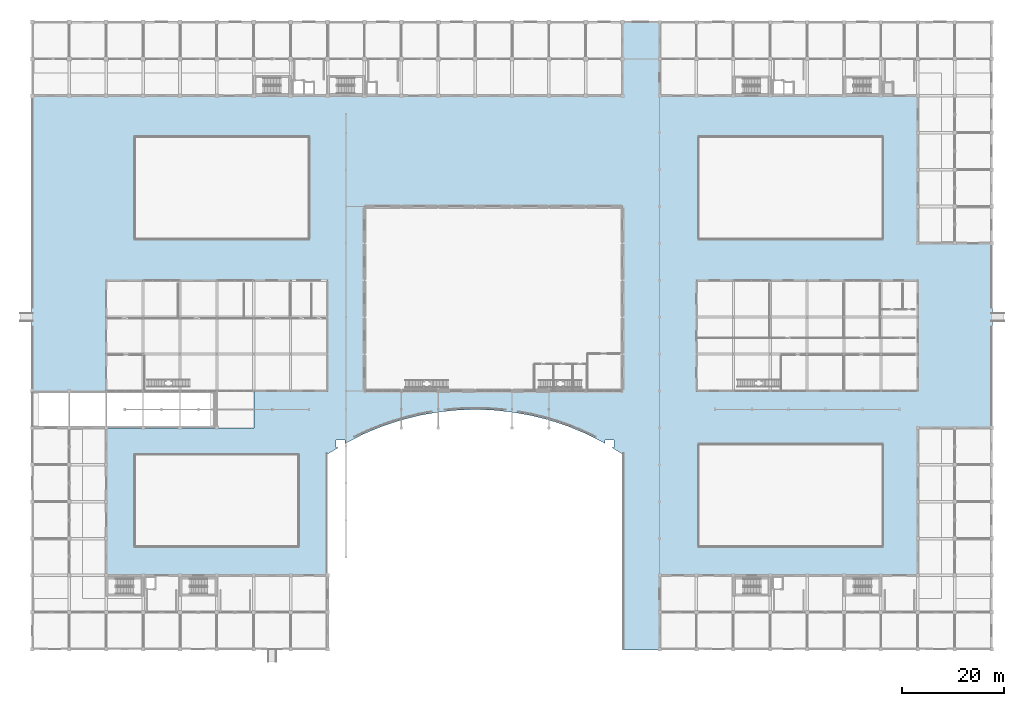
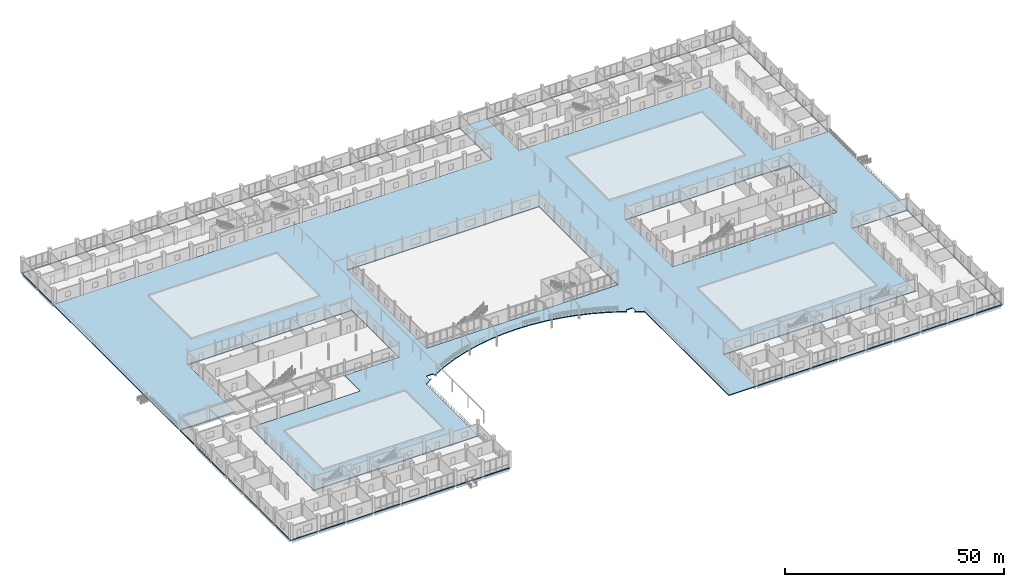
# One storey, part 103 of 139: 1 slab.
"""IFC4 building model written with IfcOpenShell, lengths in metres."""

from ifc_helpers import new_model, si_unit, direction, frame, origin, place, context, subcontext, project, spatial, polyline, outline, extrude, material, layer, layer_set, type_object, element, save


model = new_model("IFC4")

# Units and contexts
model_context = context("Model", 3, precision=1e-05, world=origin(), true_north=direction((0.0, 1.0)))
body_context = subcontext(model_context, "Body", "Model", "MODEL_VIEW")
ifc_project = project(units=[si_unit("LENGTHUNIT", "METRE"), si_unit("AREAUNIT", "SQUARE_METRE"), si_unit("VOLUMEUNIT", "CUBIC_METRE"), si_unit("PLANEANGLEUNIT", "RADIAN"), si_unit("MASSUNIT", "GRAM", prefix="KILO")], contexts=[model_context])

# Site, building, storey
site_placement = place(None, origin())
site = spatial("IfcSite", under=ifc_project, at=site_placement, CompositionType="ELEMENT")
building_placement = place(site_placement, origin())
building = spatial("IfcBuilding", under=site, at=building_placement, Name="Suanplinth Sawtooth Commons", CompositionType="ELEMENT")
storey_placement = place(building_placement, origin())
storey = spatial("IfcBuildingStorey", under=building, at=storey_placement, Name="L00", CompositionType="ELEMENT", Elevation=0.0)

# Slab
ifc_material = material(Name="Concrete C40/50", Category="concrete")
ifc_layer = layer(ifc_material, 0.239990234375, Name="Stepped sky-terrace & courtyard garden slab 240mm")
ifc_layer_set = layer_set([ifc_layer], Name="Concrete C40/50")
slab_type = type_object("IfcSlabType", Name="S-TR01", PredefinedType="FLOOR", material=ifc_layer_set)
slab_placement = place(storey_placement, frame((0.0, 0.0, -0.239990234375)))
element("IfcSlab", 1, at=slab_placement, inside=storey, type_object=slab_type, Name="Ground Civic Courtyard & Street Plinth Apron 1", PredefinedType="FLOOR", context=body_context, shape_type="SweptSolid", body=[
    extrude(outline(polyline([(-0.199951171875, -0.199951171875), (-0.199951171875, 122.60009765625), (187.39990234375, 122.60009765625), (187.39990234375, -0.199951171875), (115.199951171875, -0.199951171875), (115.199951171875, 38.06591796875), (113.10888671875, 39.338134765625), (113.550048828125, 39.338134765625), (113.550048828125, 40.838134765625), (111.75, 40.838134765625), (111.75, 40.164794921875), (111.60009765625, 40.256103515625), (108.0, 42.072021484375), (104.39990234375, 43.554931640625), (100.800048828125, 44.736083984375), (97.199951171875, 45.635986328125), (93.60009765625, 46.26904296875), (90.0, 46.64501953125), (86.39990234375, 46.77001953125), (82.800048828125, 46.64501953125), (79.199951171875, 46.26904296875), (75.60009765625, 45.635986328125), (72.0, 44.736083984375), (68.39990234375, 43.554931640625), (64.800048828125, 42.072021484375), (61.199951171875, 40.256103515625), (61.050048828125, 40.164794921875), (61.050048828125, 40.838134765625), (59.25, 40.838134765625), (59.25, 39.338134765625), (59.691162109375, 39.338134765625), (57.60009765625, 38.06591796875), (57.60009765625, 14.39990234375), (14.39990234375, 14.39990234375), (14.39990234375, 43.199951171875), (43.199951171875, 43.199951171875), (43.199951171875, 50.39990234375), (57.60009765625, 50.39990234375), (57.60009765625, 72.0), (14.39990234375, 72.0), (14.39990234375, 50.39990234375), (0.0, 50.39990234375), (0.0, 0.0), (57.60009765625, 0.0), (57.60009765625, -0.199951171875), (-0.199951171875, -0.199951171875)]), holes=[polyline([(115.199951171875, 122.39990234375), (0.0, 122.39990234375), (0.0, 108.0), (115.199951171875, 108.0), (115.199951171875, 122.39990234375)]), polyline([(172.800048828125, 14.39990234375), (122.39990234375, 14.39990234375), (122.39990234375, 0.0), (187.199951171875, 0.0), (187.199951171875, 43.199951171875), (172.800048828125, 43.199951171875), (172.800048828125, 14.39990234375)]), polyline([(129.60009765625, 72.0), (129.60009765625, 50.39990234375), (172.800048828125, 50.39990234375), (172.800048828125, 72.0), (129.60009765625, 72.0)]), polyline([(115.199951171875, 86.39990234375), (64.800048828125, 86.39990234375), (64.800048828125, 50.39990234375), (115.199951171875, 50.39990234375), (115.199951171875, 86.39990234375)]), polyline([(187.199951171875, 122.39990234375), (122.39990234375, 122.39990234375), (122.39990234375, 108.0), (172.800048828125, 108.0), (172.800048828125, 79.199951171875), (187.199951171875, 79.199951171875), (187.199951171875, 122.39990234375)])]), origin(), (0.0, 0.0, 1.0), 0.239990234375),
])

save(model, "model.ifc")
